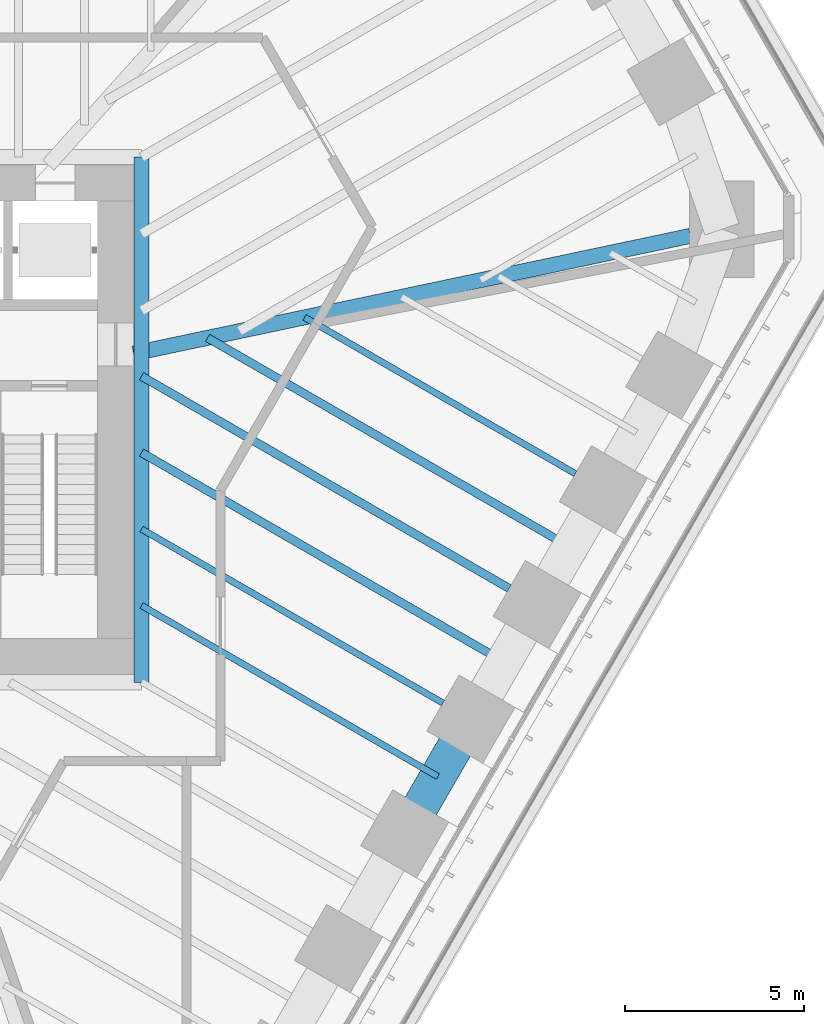
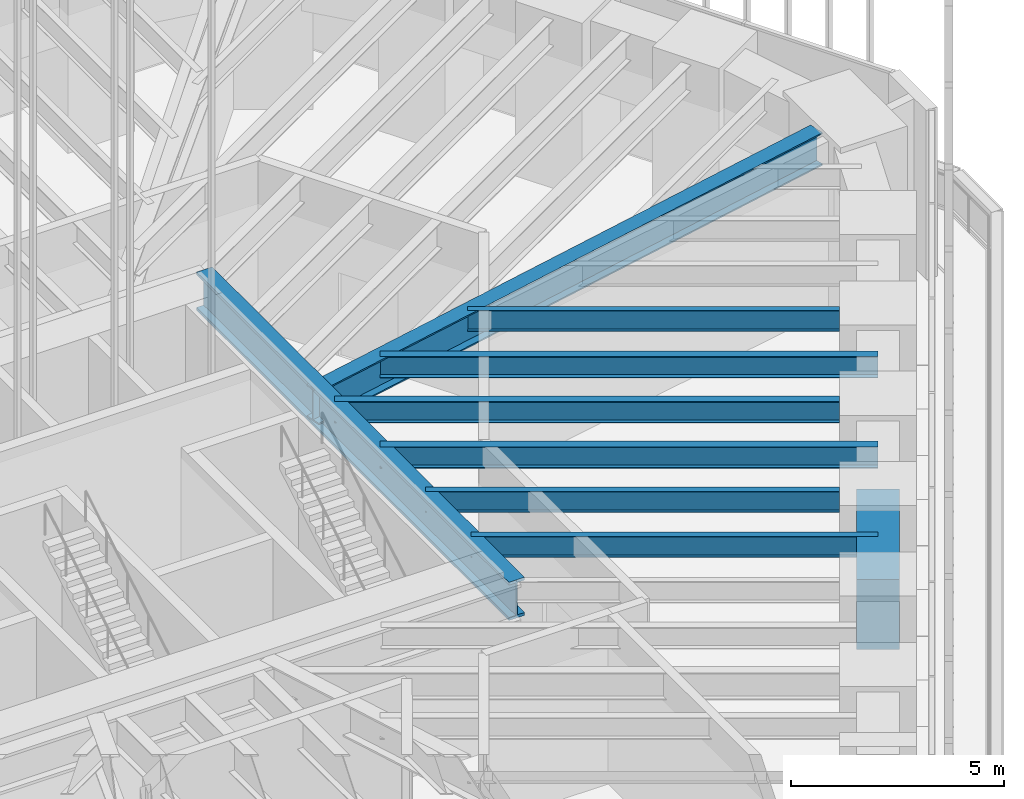
# One storey, part 103 of 228: 9 beams.
"""IFC4 building model written with IfcOpenShell, lengths in metres."""

from ifc_helpers import new_model, si_unit, direction, frame, origin, origin_2d, place, context, subcontext, project, spatial, rectangle, i_section, extrude, material, material_profile, profile_set, type_object, element, save


model = new_model("IFC4")

# Units and contexts
model_context = context("Model", 3, precision=1e-05, world=origin(), true_north=direction((0.0, 1.0)))
body_context = subcontext(model_context, "Body", "Model", "MODEL_VIEW")
ifc_project = project(units=[si_unit("LENGTHUNIT", "METRE"), si_unit("AREAUNIT", "SQUARE_METRE"), si_unit("VOLUMEUNIT", "CUBIC_METRE"), si_unit("PLANEANGLEUNIT", "RADIAN"), si_unit("MASSUNIT", "GRAM", prefix="KILO")], contexts=[model_context])

# Site, building, storey
site_placement = place(None, origin())
site = spatial("IfcSite", under=ifc_project, at=site_placement, CompositionType="ELEMENT")
building_placement = place(site_placement, origin())
building = spatial("IfcBuilding", under=site, at=building_placement, Name="Sandreach Pilgrim Tower", CompositionType="ELEMENT")
storey_placement = place(building_placement, frame((0.0, 0.0, 178.199951171875)))
storey = spatial("IfcBuildingStorey", under=building, at=storey_placement, Name="L44", CompositionType="ELEMENT", Elevation=178.199951171875)

# Beams
ifc_material_1 = material(Name="Steel ASTM A992 Grade 50", Category="steel")
ifc_material_profile_1 = material_profile(ifc_material_1, i_section(OverallWidth=0.424072265625, OverallDepth=1.09228515625, WebThickness=0.04541015625, FlangeThickness=0.08203125, at=origin_2d()), Name="W40X593")
ifc_profile_set_1 = profile_set([ifc_material_profile_1], Name="Steel ASTM A992 Grade 50")
beam_type_1 = type_object("IfcBeamType", Name="Core edge beam W40X593", PredefinedType="BEAM", material=ifc_profile_set_1)
beam_1_placement = place(storey_placement, frame((8.97216796875, 7.322021484375, 4.2939453125), z_axis=(0.0, -1.0, 0.0), x_axis=(1.0, 0.0, 0.0)))
element("IfcBeam", 1, at=beam_1_placement, inside=storey, type_object=beam_type_1, Name="BM L44 CEE", PredefinedType="BEAM", context=body_context, shape_type="SweptSolid", body=[
    extrude(i_section(OverallWidth=0.424072265625, OverallDepth=1.09228515625, WebThickness=0.04541015625, FlangeThickness=0.08203125, at=origin_2d()), origin(), (0.0, 0.0, 1.0), 14.64404296875),
])
ifc_material_2 = material(Name="Steel ASTM A992 Grade 50", Category="steel")
ifc_material_profile_2 = material_profile(ifc_material_2, i_section(OverallWidth=0.421630859375, OverallDepth=0.937255859375, WebThickness=0.0224609375, FlangeThickness=0.039794921875, at=origin_2d()), Name="W36X282")
ifc_profile_set_2 = profile_set([ifc_material_profile_2], Name="Steel ASTM A992 Grade 50")
beam_type_2 = type_object("IfcBeamType", Name="Corner girder W36X282", PredefinedType="BEAM", material=ifc_profile_set_2)
beam_2_placement = place(storey_placement, frame((24.27587890625, 5.12548828125, 4.371337890625), z_axis=(-0.978429308752, -0.206581915411, 0.0), x_axis=(0.206581915411, -0.978429308752, 0.0)))
element("IfcBeam", 2, at=beam_2_placement, inside=storey, type_object=beam_type_2, Name="BM L44 CG13", PredefinedType="BEAM", context=body_context, shape_type="SweptSolid", body=[
    extrude(i_section(OverallWidth=0.421630859375, OverallDepth=0.937255859375, WebThickness=0.0224609375, FlangeThickness=0.039794921875, at=origin_2d()), origin(), (0.0, 0.0, 1.0), 15.8681640625),
])
ifc_material_3 = material(Name="Steel ASTM A992 Grade 50", Category="steel")
ifc_material_profile_3 = material_profile(ifc_material_3, i_section(OverallWidth=0.1787109375, OverallDepth=0.60205078125, WebThickness=0.010986328125, FlangeThickness=0.014892578125, at=origin_2d()), Name="W24X62")
ifc_profile_set_3 = profile_set([ifc_material_profile_3], Name="Steel ASTM A992 Grade 50")
beam_type_3 = type_object("IfcBeamType", Name="Floor beam W24X62", PredefinedType="BEAM", material=ifc_profile_set_3)
beam_3_placement = place(storey_placement, frame((21.070068359375, -1.505615234375, 4.5390625), z_axis=(-0.866018660621, 0.50001167932, 0.0), x_axis=(-0.50001167932, -0.866018660621, 0.0)))
element("IfcBeam", 3, at=beam_3_placement, inside=storey, type_object=beam_type_3, Name="BM L44 F15", PredefinedType="BEAM", context=body_context, shape_type="SweptSolid", body=[
    extrude(i_section(OverallWidth=0.1787109375, OverallDepth=0.60205078125, WebThickness=0.010986328125, FlangeThickness=0.014892578125, at=origin_2d()), origin(), (0.0, 0.0, 1.0), 8.719482421875),
])
beam_4_placement = place(storey_placement, frame((17.377685546875, -7.901123046875, 4.5390625), z_axis=(-0.866020964397, 0.500007689166, 0.0), x_axis=(-0.500007689166, -0.866020964397, 0.0)))
element("IfcBeam", 4, at=beam_4_placement, inside=storey, type_object=beam_type_3, Name="BM L44 F17", PredefinedType="BEAM", context=body_context, shape_type="SweptSolid", body=[
    extrude(i_section(OverallWidth=0.1787109375, OverallDepth=0.60205078125, WebThickness=0.010986328125, FlangeThickness=0.014892578125, at=origin_2d()), origin(), (0.0, 0.0, 1.0), 9.705810546875),
])
beam_5_placement = place(storey_placement, frame((17.23388671875, -9.949951171875, 4.5390625), z_axis=(-0.866020229892, 0.500008961337, 0.0), x_axis=(-0.500008961337, -0.866020229892, 0.0)))
element("IfcBeam", 5, at=beam_5_placement, inside=storey, type_object=beam_type_3, Name="BM L44 FM17", PredefinedType="BEAM", context=body_context, shape_type="SweptSolid", body=[
    extrude(i_section(OverallWidth=0.1787109375, OverallDepth=0.60205078125, WebThickness=0.010986328125, FlangeThickness=0.014892578125, at=origin_2d()), origin(), (0.0, 0.0, 1.0), 9.539794921875),
])
ifc_material_4 = material(Name="Steel ASTM A992 Grade 50", Category="steel")
ifc_material_profile_4 = material_profile(ifc_material_4, i_section(OverallWidth=0.23046875, OverallDepth=0.6171875, WebThickness=0.01318359375, FlangeThickness=0.022216796875, at=origin_2d()), Name="W24X94")
ifc_profile_set_4 = profile_set([ifc_material_profile_4], Name="Steel ASTM A992 Grade 50")
beam_type_4 = type_object("IfcBeamType", Name="Floor beam W24X94", PredefinedType="BEAM", material=ifc_profile_set_4)
beam_6_placement = place(storey_placement, frame((19.223876953125, -4.703369140625, 4.531494140625), z_axis=(-0.86602107386, 0.500007499575, 0.0), x_axis=(-0.500007499575, -0.86602107386, 0.0)))
element("IfcBeam", 6, at=beam_6_placement, inside=storey, type_object=beam_type_4, Name="BM L44 F16", PredefinedType="BEAM", context=body_context, shape_type="SweptSolid", body=[
    extrude(i_section(OverallWidth=0.23046875, OverallDepth=0.6171875, WebThickness=0.01318359375, FlangeThickness=0.022216796875, at=origin_2d()), origin(), (0.0, 0.0, 1.0), 11.837646484375),
])
beam_7_placement = place(storey_placement, frame((20.926513671875, -3.554443359375, 4.531494140625), z_axis=(-0.866026454974, 0.499998179282, 0.0), x_axis=(-0.499998179282, -0.866026454974, 0.0)))
element("IfcBeam", 7, at=beam_7_placement, inside=storey, type_object=beam_type_4, Name="BM L44 FM15", PredefinedType="BEAM", context=body_context, shape_type="SweptSolid", body=[
    extrude(i_section(OverallWidth=0.23046875, OverallDepth=0.6171875, WebThickness=0.01318359375, FlangeThickness=0.022216796875, at=origin_2d()), origin(), (0.0, 0.0, 1.0), 11.67578125),
])
beam_8_placement = place(storey_placement, frame((19.080322265625, -6.752197265625, 4.531494140625), z_axis=(-0.866025704444, 0.499999479242, 0.0), x_axis=(-0.499999479242, -0.866025704444, 0.0)))
element("IfcBeam", 8, at=beam_8_placement, inside=storey, type_object=beam_type_4, Name="BM L44 FM16", PredefinedType="BEAM", context=body_context, shape_type="SweptSolid", body=[
    extrude(i_section(OverallWidth=0.23046875, OverallDepth=0.6171875, WebThickness=0.01318359375, FlangeThickness=0.022216796875, at=origin_2d()), origin(), (0.0, 0.0, 1.0), 11.671875),
])
ifc_material_5 = material(Name="Concrete 10000 psi", Category="concrete")
ifc_material_profile_5 = material_profile(ifc_material_5, rectangle(XDim=1.0, YDim=2.0, at=origin_2d()), Name="RC1000X2000")
ifc_profile_set_5 = profile_set([ifc_material_profile_5], Name="Concrete 10000 psi")
beam_type_5 = type_object("IfcBeamType", Name="Spandrel beam RC1000X2000", PredefinedType="SPANDREL", material=ifc_profile_set_5)
beam_9_placement = place(storey_placement, frame((18.1572265625, -8.35107421875, 3.840087890625), z_axis=(-0.500042951019, -0.866000604582, 0.0), x_axis=(0.866000604582, -0.500042951019, 0.0)))
element("IfcBeam", 9, at=beam_9_placement, inside=storey, type_object=beam_type_5, Name="BM L44 SP17", PredefinedType="SPANDREL", context=body_context, shape_type="SweptSolid", body=[
    extrude(rectangle(XDim=1.0, YDim=2.0, at=origin_2d()), origin(), (0.0, 0.0, 1.0), 3.692626953125),
])

save(model, "model.ifc")
